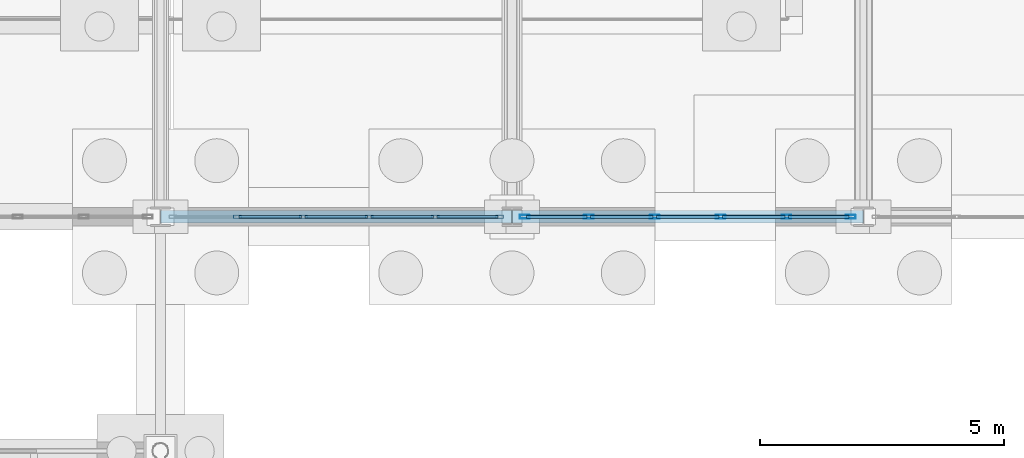
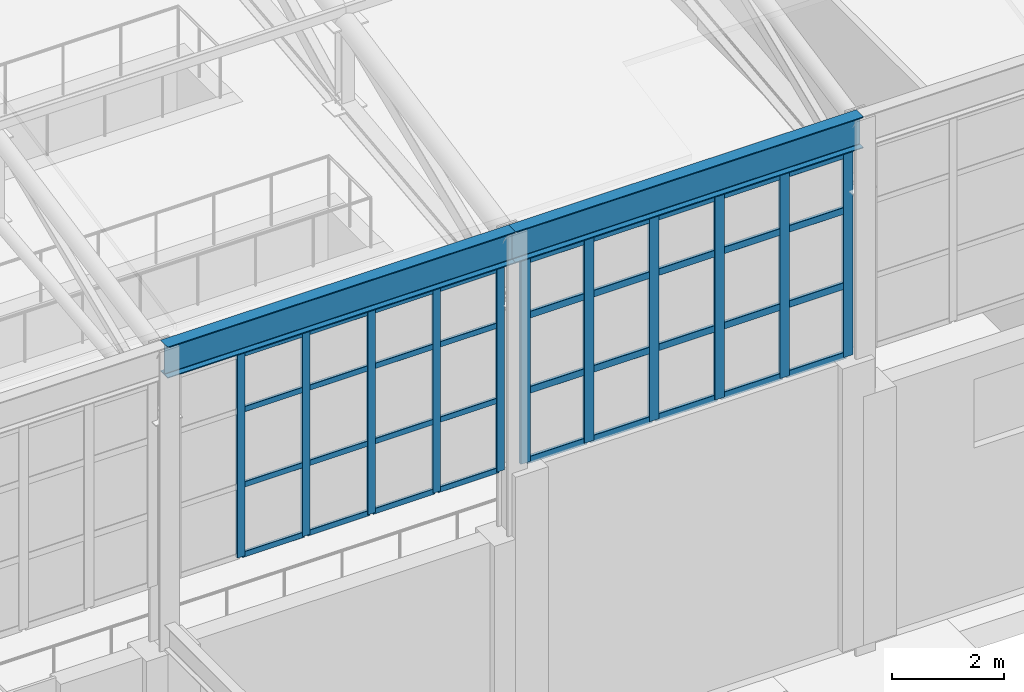
# One storey, part 172 of 293: 47 members, 2 beams, 2 elements without a shape of their own.
"""IFC4 building model written with IfcOpenShell, lengths in metres."""

from ifc_helpers import new_model, si_unit, direction, frame, origin, origin_2d, place, context, subcontext, project, spatial, hollow_rectangle, i_section, extrude, material, layer, layer_set, material_profile, profile_set, type_object, element, aggregate, save


model = new_model("IFC4")

# Units and contexts
model_context = context("Model", 3, precision=1e-05, world=origin(), true_north=direction((0.0, 1.0)))
body_context = subcontext(model_context, "Body", "Model", "MODEL_VIEW")
ifc_project = project(units=[si_unit("LENGTHUNIT", "METRE"), si_unit("AREAUNIT", "SQUARE_METRE"), si_unit("VOLUMEUNIT", "CUBIC_METRE"), si_unit("PLANEANGLEUNIT", "RADIAN"), si_unit("MASSUNIT", "GRAM", prefix="KILO")], contexts=[model_context])

# Site, building, storey
site_placement = place(None, origin())
site = spatial("IfcSite", under=ifc_project, at=site_placement, CompositionType="ELEMENT")
building_placement = place(site_placement, origin())
building = spatial("IfcBuilding", under=site, at=building_placement, Name="Kemerveld Promenade Tramway Depot", CompositionType="ELEMENT")
storey_placement = place(building_placement, origin())
storey = spatial("IfcBuildingStorey", under=building, at=storey_placement, Name="L00", CompositionType="ELEMENT", Elevation=0.0)

# Beams
ifc_material_1 = material(Name="Steel S355", Category="steel")
ifc_material_profile_1 = material_profile(ifc_material_1, i_section(OverallWidth=0.25439453125, OverallDepth=0.6875, WebThickness=0.01318359375, FlangeThickness=0.02099609375, FilletRadius=0.01513671875, at=origin_2d()), Name="686x254x152 UB")
ifc_profile_set_1 = profile_set([ifc_material_profile_1], Name="Steel S355")
beam_type = type_object("IfcBeamType", Name="BM-G03", PredefinedType="BEAM", material=ifc_profile_set_1)
beam_1_placement = place(storey_placement, frame((158.39990234375, 84.0, 11.056396484375), z_axis=(1.0, 0.0, 0.0), x_axis=(0.0, 1.0, 0.0)))
element("IfcBeam", 1, at=beam_1_placement, inside=storey, type_object=beam_type, Name="BM-SHED-EAVE-N-23", PredefinedType="BEAM", context=body_context, shape_type="SweptSolid", body=[
    extrude(i_section(OverallWidth=0.25439453125, OverallDepth=0.6875, WebThickness=0.01318359375, FlangeThickness=0.02099609375, FilletRadius=0.01513671875, at=origin_2d()), origin(), (0.0, 0.0, 1.0), 7.2001953125),
])
beam_2_placement = place(storey_placement, frame((165.60009765625, 84.0, 11.056396484375), z_axis=(1.0, 0.0, 0.0), x_axis=(0.0, 1.0, 0.0)))
element("IfcBeam", 2, at=beam_2_placement, inside=storey, type_object=beam_type, Name="BM-SHED-EAVE-N-24", PredefinedType="BEAM", context=body_context, shape_type="SweptSolid", body=[
    extrude(i_section(OverallWidth=0.25439453125, OverallDepth=0.6875, WebThickness=0.01318359375, FlangeThickness=0.02099609375, FilletRadius=0.01513671875, at=origin_2d()), origin(), (0.0, 0.0, 1.0), 7.199951171875),
])

# Curtain wall, members
ifc_material_2 = material(Name="Bronze anodised aluminium and solar glass", Category="aluminium")
ifc_layer_1 = layer(ifc_material_2, 0.159912109375)
ifc_layer_set_1 = layer_set([ifc_layer_1], Name="CW-SYS-07")
curtain_wall_type_1 = type_object("IfcCurtainWallType", Name="CW-SYS-07", PredefinedType="USERDEFINED", material=ifc_layer_set_1)
curtain_wall_1_placement = place(storey_placement, origin())
curtain_wall_1 = element("IfcCurtainWall", 3, at=curtain_wall_1_placement, inside=storey, type_object=curtain_wall_type_1, Name="CW-V1-S-18", ObjectType="GLAZED_CURTAIN_WALL", PredefinedType="USERDEFINED")
ifc_material_3 = material(Name="Bronze anodised aluminium", Category="aluminium")
ifc_material_profile_2 = material_profile(ifc_material_3, hollow_rectangle(XDim=0.06494140625, YDim=0.159912109375, WallThickness=0.00390625, InnerFilletRadius=0.001953125, OuterFilletRadius=0.00390625, at=origin_2d()), Name="CW-MUL-160x65")
ifc_profile_set_2 = profile_set([ifc_material_profile_2], Name="Bronze anodised aluminium")
member_type_1 = type_object("IfcMemberType", Name="CW-MUL-A", PredefinedType="MULLION", material=ifc_profile_set_2)
member_1_placement = place(storey_placement, frame((165.34423828125, 84.0, 6.199951171875), z_axis=(0.0, 0.0, 1.0), x_axis=(0.0, -1.0, 0.0)))
member_1 = element("IfcMember", 4, at=member_1_placement, type_object=member_type_1, Name="CW07 mullion 1", PredefinedType="MULLION", context=body_context, shape_type="SweptSolid", body=[
    extrude(hollow_rectangle(XDim=0.06494140625, YDim=0.159912109375, WallThickness=0.00390625, InnerFilletRadius=0.001953125, OuterFilletRadius=0.00390625, at=origin_2d()), origin(), (0.0, 0.0, 1.0), 4.449951171875),
])
member_2_placement = place(storey_placement, frame((164.026123046875, 84.0, 6.199951171875), z_axis=(0.0, 0.0, 1.0), x_axis=(0.0, -1.0, 0.0)))
member_2 = element("IfcMember", 5, at=member_2_placement, type_object=member_type_1, Name="CW07 mullion 2", PredefinedType="MULLION", context=body_context, shape_type="SweptSolid", body=[
    extrude(hollow_rectangle(XDim=0.06494140625, YDim=0.159912109375, WallThickness=0.00390625, InnerFilletRadius=0.001953125, OuterFilletRadius=0.00390625, at=origin_2d()), origin(), (0.0, 0.0, 1.0), 4.449951171875),
])
member_3_placement = place(storey_placement, frame((162.67529296875, 84.0, 6.199951171875), z_axis=(0.0, 0.0, 1.0), x_axis=(0.0, -1.0, 0.0)))
member_3 = element("IfcMember", 6, at=member_3_placement, type_object=member_type_1, Name="CW07 mullion 3", PredefinedType="MULLION", context=body_context, shape_type="SweptSolid", body=[
    extrude(hollow_rectangle(XDim=0.06494140625, YDim=0.159912109375, WallThickness=0.00390625, InnerFilletRadius=0.001953125, OuterFilletRadius=0.00390625, at=origin_2d()), origin(), (0.0, 0.0, 1.0), 4.449951171875),
])
member_4_placement = place(storey_placement, frame((161.32470703125, 84.0, 6.199951171875), z_axis=(0.0, 0.0, 1.0), x_axis=(0.0, -1.0, 0.0)))
member_4 = element("IfcMember", 7, at=member_4_placement, type_object=member_type_1, Name="CW07 mullion 4", PredefinedType="MULLION", context=body_context, shape_type="SweptSolid", body=[
    extrude(hollow_rectangle(XDim=0.06494140625, YDim=0.159912109375, WallThickness=0.00390625, InnerFilletRadius=0.001953125, OuterFilletRadius=0.00390625, at=origin_2d()), origin(), (0.0, 0.0, 1.0), 4.449951171875),
])
member_5_placement = place(storey_placement, frame((159.973876953125, 84.0, 6.199951171875), z_axis=(0.0, 0.0, 1.0), x_axis=(0.0, -1.0, 0.0)))
member_5 = element("IfcMember", 8, at=member_5_placement, type_object=member_type_1, Name="CW07 mullion 5", PredefinedType="MULLION", context=body_context, shape_type="SweptSolid", body=[
    extrude(hollow_rectangle(XDim=0.06494140625, YDim=0.159912109375, WallThickness=0.00390625, InnerFilletRadius=0.001953125, OuterFilletRadius=0.00390625, at=origin_2d()), origin(), (0.0, 0.0, 1.0), 4.449951171875),
])

ifc_layer_2 = layer(ifc_material_2, 0.199951171875)
ifc_layer_set_2 = layer_set([ifc_layer_2], Name="CW-SYS-08")
curtain_wall_type_2 = type_object("IfcCurtainWallType", Name="CW-SYS-08", PredefinedType="USERDEFINED", material=ifc_layer_set_2)
curtain_wall_2_placement = place(storey_placement, origin())
curtain_wall_2 = element("IfcCurtainWall", 9, at=curtain_wall_2_placement, inside=storey, type_object=curtain_wall_type_2, Name="CW-V1-S-19", ObjectType="GLAZED_CURTAIN_WALL", PredefinedType="USERDEFINED")
ifc_material_profile_3 = material_profile(ifc_material_3, hollow_rectangle(XDim=0.074951171875, YDim=0.199951171875, WallThickness=0.0048828125, InnerFilletRadius=0.001953125, OuterFilletRadius=0.0048828125, at=origin_2d()), Name="CW-MUL-200x75")
ifc_profile_set_3 = profile_set([ifc_material_profile_3], Name="Bronze anodised aluminium")
member_type_2 = type_object("IfcMemberType", Name="CW-MUL-B", PredefinedType="MULLION", material=ifc_profile_set_3)
member_6_placement = place(storey_placement, frame((172.539306640625, 84.0, 6.199951171875), z_axis=(0.0, 0.0, 1.0), x_axis=(0.0, -1.0, 0.0)))
member_6 = element("IfcMember", 10, at=member_6_placement, type_object=member_type_2, Name="CW08 mullion 1", PredefinedType="MULLION", context=body_context, shape_type="SweptSolid", body=[
    extrude(hollow_rectangle(XDim=0.074951171875, YDim=0.199951171875, WallThickness=0.0048828125, InnerFilletRadius=0.001953125, OuterFilletRadius=0.0048828125, at=origin_2d()), origin(), (0.0, 0.0, 1.0), 4.449951171875),
])
member_7_placement = place(storey_placement, frame((171.22607421875, 84.0, 6.199951171875), z_axis=(0.0, 0.0, 1.0), x_axis=(0.0, -1.0, 0.0)))
member_7 = element("IfcMember", 11, at=member_7_placement, type_object=member_type_2, Name="CW08 mullion 2", PredefinedType="MULLION", context=body_context, shape_type="SweptSolid", body=[
    extrude(hollow_rectangle(XDim=0.074951171875, YDim=0.199951171875, WallThickness=0.0048828125, InnerFilletRadius=0.001953125, OuterFilletRadius=0.0048828125, at=origin_2d()), origin(), (0.0, 0.0, 1.0), 4.449951171875),
])
member_8_placement = place(storey_placement, frame((169.875244140625, 84.0, 6.199951171875), z_axis=(0.0, 0.0, 1.0), x_axis=(0.0, -1.0, 0.0)))
member_8 = element("IfcMember", 12, at=member_8_placement, type_object=member_type_2, Name="CW08 mullion 3", PredefinedType="MULLION", context=body_context, shape_type="SweptSolid", body=[
    extrude(hollow_rectangle(XDim=0.074951171875, YDim=0.199951171875, WallThickness=0.0048828125, InnerFilletRadius=0.001953125, OuterFilletRadius=0.0048828125, at=origin_2d()), origin(), (0.0, 0.0, 1.0), 4.449951171875),
])
member_9_placement = place(storey_placement, frame((168.524658203125, 84.0, 6.199951171875), z_axis=(0.0, 0.0, 1.0), x_axis=(0.0, -1.0, 0.0)))
member_9 = element("IfcMember", 13, at=member_9_placement, type_object=member_type_2, Name="CW08 mullion 4", PredefinedType="MULLION", context=body_context, shape_type="SweptSolid", body=[
    extrude(hollow_rectangle(XDim=0.074951171875, YDim=0.199951171875, WallThickness=0.0048828125, InnerFilletRadius=0.001953125, OuterFilletRadius=0.0048828125, at=origin_2d()), origin(), (0.0, 0.0, 1.0), 4.449951171875),
])
member_10_placement = place(storey_placement, frame((167.173828125, 84.0, 6.199951171875), z_axis=(0.0, 0.0, 1.0), x_axis=(0.0, -1.0, 0.0)))
member_10 = element("IfcMember", 14, at=member_10_placement, type_object=member_type_2, Name="CW08 mullion 5", PredefinedType="MULLION", context=body_context, shape_type="SweptSolid", body=[
    extrude(hollow_rectangle(XDim=0.074951171875, YDim=0.199951171875, WallThickness=0.0048828125, InnerFilletRadius=0.001953125, OuterFilletRadius=0.0048828125, at=origin_2d()), origin(), (0.0, 0.0, 1.0), 4.449951171875),
])
member_11_placement = place(storey_placement, frame((165.860595703125, 84.0, 6.199951171875), z_axis=(0.0, 0.0, 1.0), x_axis=(0.0, -1.0, 0.0)))
member_11 = element("IfcMember", 15, at=member_11_placement, type_object=member_type_2, Name="CW08 mullion 6", PredefinedType="MULLION", context=body_context, shape_type="SweptSolid", body=[
    extrude(hollow_rectangle(XDim=0.074951171875, YDim=0.199951171875, WallThickness=0.0048828125, InnerFilletRadius=0.001953125, OuterFilletRadius=0.0048828125, at=origin_2d()), origin(), (0.0, 0.0, 1.0), 4.449951171875),
])

# Member
ifc_material_profile_4 = material_profile(ifc_material_3, hollow_rectangle(XDim=0.06005859375, YDim=0.1201171875, WallThickness=0.00390625, InnerFilletRadius=0.001953125, OuterFilletRadius=0.00390625, at=origin_2d()), Name="CW-TRN-120x60")
ifc_profile_set_4 = profile_set([ifc_material_profile_4], Name="Bronze anodised aluminium")
member_type_3 = type_object("IfcMemberType", Name="CW-TRN-A", PredefinedType="USERDEFINED", material=ifc_profile_set_4)
member_12_placement = place(storey_placement, frame((165.311767578125, 84.0, 6.22998046875), z_axis=(-1.0, 0.0, 0.0), x_axis=(0.0, -1.0, 0.0)))
member_12 = element("IfcMember", 16, at=member_12_placement, type_object=member_type_3, Name="CW07 transom 1.1", ObjectType="TRANSOM", PredefinedType="USERDEFINED", context=body_context, shape_type="SweptSolid", body=[
    extrude(hollow_rectangle(XDim=0.06005859375, YDim=0.1201171875, WallThickness=0.00390625, InnerFilletRadius=0.001953125, OuterFilletRadius=0.00390625, at=origin_2d()), origin(), (0.0, 0.0, 1.0), 1.253173828125),
])

member_13_placement = place(storey_placement, frame((165.311767578125, 84.0, 7.758056640625), z_axis=(-1.0, 0.0, 0.0), x_axis=(0.0, -1.0, 0.0)))
member_13 = element("IfcMember", 17, at=member_13_placement, type_object=member_type_3, Name="CW07 transom 1.2", ObjectType="TRANSOM", PredefinedType="USERDEFINED", context=body_context, shape_type="SweptSolid", body=[
    extrude(hollow_rectangle(XDim=0.06005859375, YDim=0.1201171875, WallThickness=0.00390625, InnerFilletRadius=0.001953125, OuterFilletRadius=0.00390625, at=origin_2d()), origin(), (0.0, 0.0, 1.0), 1.253173828125),
])

member_14_placement = place(storey_placement, frame((165.311767578125, 84.0, 9.404052734375), z_axis=(-1.0, 0.0, 0.0), x_axis=(0.0, -1.0, 0.0)))
member_14 = element("IfcMember", 18, at=member_14_placement, type_object=member_type_3, Name="CW07 transom 1.3", ObjectType="TRANSOM", PredefinedType="USERDEFINED", context=body_context, shape_type="SweptSolid", body=[
    extrude(hollow_rectangle(XDim=0.06005859375, YDim=0.1201171875, WallThickness=0.00390625, InnerFilletRadius=0.001953125, OuterFilletRadius=0.00390625, at=origin_2d()), origin(), (0.0, 0.0, 1.0), 1.253173828125),
])

member_15_placement = place(storey_placement, frame((165.311767578125, 84.0, 10.6201171875), z_axis=(-1.0, 0.0, 0.0), x_axis=(0.0, -1.0, 0.0)))
member_15 = element("IfcMember", 19, at=member_15_placement, type_object=member_type_3, Name="CW07 transom 1.4", ObjectType="TRANSOM", PredefinedType="USERDEFINED", context=body_context, shape_type="SweptSolid", body=[
    extrude(hollow_rectangle(XDim=0.06005859375, YDim=0.1201171875, WallThickness=0.00390625, InnerFilletRadius=0.001953125, OuterFilletRadius=0.00390625, at=origin_2d()), origin(), (0.0, 0.0, 1.0), 1.253173828125),
])

member_16_placement = place(storey_placement, frame((163.99365234375, 84.0, 6.22998046875), z_axis=(-1.0, 0.0, 0.0), x_axis=(0.0, -1.0, 0.0)))
member_16 = element("IfcMember", 20, at=member_16_placement, type_object=member_type_3, Name="CW07 transom 2.1", ObjectType="TRANSOM", PredefinedType="USERDEFINED", context=body_context, shape_type="SweptSolid", body=[
    extrude(hollow_rectangle(XDim=0.06005859375, YDim=0.1201171875, WallThickness=0.00390625, InnerFilletRadius=0.001953125, OuterFilletRadius=0.00390625, at=origin_2d()), origin(), (0.0, 0.0, 1.0), 1.285888671875),
])

member_17_placement = place(storey_placement, frame((163.99365234375, 84.0, 7.758056640625), z_axis=(-1.0, 0.0, 0.0), x_axis=(0.0, -1.0, 0.0)))
member_17 = element("IfcMember", 21, at=member_17_placement, type_object=member_type_3, Name="CW07 transom 2.2", ObjectType="TRANSOM", PredefinedType="USERDEFINED", context=body_context, shape_type="SweptSolid", body=[
    extrude(hollow_rectangle(XDim=0.06005859375, YDim=0.1201171875, WallThickness=0.00390625, InnerFilletRadius=0.001953125, OuterFilletRadius=0.00390625, at=origin_2d()), origin(), (0.0, 0.0, 1.0), 1.285888671875),
])

member_18_placement = place(storey_placement, frame((163.99365234375, 84.0, 9.404052734375), z_axis=(-1.0, 0.0, 0.0), x_axis=(0.0, -1.0, 0.0)))
member_18 = element("IfcMember", 22, at=member_18_placement, type_object=member_type_3, Name="CW07 transom 2.3", ObjectType="TRANSOM", PredefinedType="USERDEFINED", context=body_context, shape_type="SweptSolid", body=[
    extrude(hollow_rectangle(XDim=0.06005859375, YDim=0.1201171875, WallThickness=0.00390625, InnerFilletRadius=0.001953125, OuterFilletRadius=0.00390625, at=origin_2d()), origin(), (0.0, 0.0, 1.0), 1.285888671875),
])

member_19_placement = place(storey_placement, frame((163.99365234375, 84.0, 10.6201171875), z_axis=(-1.0, 0.0, 0.0), x_axis=(0.0, -1.0, 0.0)))
member_19 = element("IfcMember", 23, at=member_19_placement, type_object=member_type_3, Name="CW07 transom 2.4", ObjectType="TRANSOM", PredefinedType="USERDEFINED", context=body_context, shape_type="SweptSolid", body=[
    extrude(hollow_rectangle(XDim=0.06005859375, YDim=0.1201171875, WallThickness=0.00390625, InnerFilletRadius=0.001953125, OuterFilletRadius=0.00390625, at=origin_2d()), origin(), (0.0, 0.0, 1.0), 1.285888671875),
])

member_20_placement = place(storey_placement, frame((162.642822265625, 84.0, 6.22998046875), z_axis=(-1.0, 0.0, 0.0), x_axis=(0.0, -1.0, 0.0)))
member_20 = element("IfcMember", 24, at=member_20_placement, type_object=member_type_3, Name="CW07 transom 3.1", ObjectType="TRANSOM", PredefinedType="USERDEFINED", context=body_context, shape_type="SweptSolid", body=[
    extrude(hollow_rectangle(XDim=0.06005859375, YDim=0.1201171875, WallThickness=0.00390625, InnerFilletRadius=0.001953125, OuterFilletRadius=0.00390625, at=origin_2d()), origin(), (0.0, 0.0, 1.0), 1.28564453125),
])

member_21_placement = place(storey_placement, frame((162.642822265625, 84.0, 7.758056640625), z_axis=(-1.0, 0.0, 0.0), x_axis=(0.0, -1.0, 0.0)))
member_21 = element("IfcMember", 25, at=member_21_placement, type_object=member_type_3, Name="CW07 transom 3.2", ObjectType="TRANSOM", PredefinedType="USERDEFINED", context=body_context, shape_type="SweptSolid", body=[
    extrude(hollow_rectangle(XDim=0.06005859375, YDim=0.1201171875, WallThickness=0.00390625, InnerFilletRadius=0.001953125, OuterFilletRadius=0.00390625, at=origin_2d()), origin(), (0.0, 0.0, 1.0), 1.28564453125),
])

member_22_placement = place(storey_placement, frame((162.642822265625, 84.0, 9.404052734375), z_axis=(-1.0, 0.0, 0.0), x_axis=(0.0, -1.0, 0.0)))
member_22 = element("IfcMember", 26, at=member_22_placement, type_object=member_type_3, Name="CW07 transom 3.3", ObjectType="TRANSOM", PredefinedType="USERDEFINED", context=body_context, shape_type="SweptSolid", body=[
    extrude(hollow_rectangle(XDim=0.06005859375, YDim=0.1201171875, WallThickness=0.00390625, InnerFilletRadius=0.001953125, OuterFilletRadius=0.00390625, at=origin_2d()), origin(), (0.0, 0.0, 1.0), 1.28564453125),
])

member_23_placement = place(storey_placement, frame((162.642822265625, 84.0, 10.6201171875), z_axis=(-1.0, 0.0, 0.0), x_axis=(0.0, -1.0, 0.0)))
member_23 = element("IfcMember", 27, at=member_23_placement, type_object=member_type_3, Name="CW07 transom 3.4", ObjectType="TRANSOM", PredefinedType="USERDEFINED", context=body_context, shape_type="SweptSolid", body=[
    extrude(hollow_rectangle(XDim=0.06005859375, YDim=0.1201171875, WallThickness=0.00390625, InnerFilletRadius=0.001953125, OuterFilletRadius=0.00390625, at=origin_2d()), origin(), (0.0, 0.0, 1.0), 1.28564453125),
])

member_24_placement = place(storey_placement, frame((161.292236328125, 84.0, 6.22998046875), z_axis=(-1.0, 0.0, 0.0), x_axis=(0.0, -1.0, 0.0)))
member_24 = element("IfcMember", 28, at=member_24_placement, type_object=member_type_3, Name="CW07 transom 4.1", ObjectType="TRANSOM", PredefinedType="USERDEFINED", context=body_context, shape_type="SweptSolid", body=[
    extrude(hollow_rectangle(XDim=0.06005859375, YDim=0.1201171875, WallThickness=0.00390625, InnerFilletRadius=0.001953125, OuterFilletRadius=0.00390625, at=origin_2d()), origin(), (0.0, 0.0, 1.0), 1.285888671875),
])

member_25_placement = place(storey_placement, frame((161.292236328125, 84.0, 7.758056640625), z_axis=(-1.0, 0.0, 0.0), x_axis=(0.0, -1.0, 0.0)))
member_25 = element("IfcMember", 29, at=member_25_placement, type_object=member_type_3, Name="CW07 transom 4.2", ObjectType="TRANSOM", PredefinedType="USERDEFINED", context=body_context, shape_type="SweptSolid", body=[
    extrude(hollow_rectangle(XDim=0.06005859375, YDim=0.1201171875, WallThickness=0.00390625, InnerFilletRadius=0.001953125, OuterFilletRadius=0.00390625, at=origin_2d()), origin(), (0.0, 0.0, 1.0), 1.285888671875),
])

member_26_placement = place(storey_placement, frame((161.292236328125, 84.0, 9.404052734375), z_axis=(-1.0, 0.0, 0.0), x_axis=(0.0, -1.0, 0.0)))
member_26 = element("IfcMember", 30, at=member_26_placement, type_object=member_type_3, Name="CW07 transom 4.3", ObjectType="TRANSOM", PredefinedType="USERDEFINED", context=body_context, shape_type="SweptSolid", body=[
    extrude(hollow_rectangle(XDim=0.06005859375, YDim=0.1201171875, WallThickness=0.00390625, InnerFilletRadius=0.001953125, OuterFilletRadius=0.00390625, at=origin_2d()), origin(), (0.0, 0.0, 1.0), 1.285888671875),
])

member_27_placement = place(storey_placement, frame((161.292236328125, 84.0, 10.6201171875), z_axis=(-1.0, 0.0, 0.0), x_axis=(0.0, -1.0, 0.0)))
member_27 = element("IfcMember", 31, at=member_27_placement, type_object=member_type_3, Name="CW07 transom 4.4", ObjectType="TRANSOM", PredefinedType="USERDEFINED", context=body_context, shape_type="SweptSolid", body=[
    extrude(hollow_rectangle(XDim=0.06005859375, YDim=0.1201171875, WallThickness=0.00390625, InnerFilletRadius=0.001953125, OuterFilletRadius=0.00390625, at=origin_2d()), origin(), (0.0, 0.0, 1.0), 1.285888671875),
])

aggregate(curtain_wall_1, [member_1, member_2, member_3, member_4, member_5, member_12, member_13, member_14, member_15, member_16, member_17, member_18, member_19, member_20, member_21, member_22, member_23, member_24, member_25, member_26, member_27])

ifc_material_profile_5 = material_profile(ifc_material_3, hollow_rectangle(XDim=0.06494140625, YDim=0.14990234375, WallThickness=0.00439453125, InnerFilletRadius=0.001953125, OuterFilletRadius=0.00439453125, at=origin_2d()), Name="CW-TRN-150x65")
ifc_profile_set_5 = profile_set([ifc_material_profile_5], Name="Bronze anodised aluminium")
member_type_4 = type_object("IfcMemberType", Name="CW-TRN-B", PredefinedType="USERDEFINED", material=ifc_profile_set_5)
member_28_placement = place(storey_placement, frame((172.501708984375, 84.0, 6.232421875), z_axis=(-1.0, 0.0, 0.0), x_axis=(0.0, -1.0, 0.0)))
member_28 = element("IfcMember", 32, at=member_28_placement, type_object=member_type_4, Name="CW08 transom 1.1", ObjectType="TRANSOM", PredefinedType="USERDEFINED", context=body_context, shape_type="SweptSolid", body=[
    extrude(hollow_rectangle(XDim=0.06494140625, YDim=0.14990234375, WallThickness=0.00439453125, InnerFilletRadius=0.001953125, OuterFilletRadius=0.00439453125, at=origin_2d()), origin(), (0.0, 0.0, 1.0), 1.238037109375),
])

member_29_placement = place(storey_placement, frame((172.501708984375, 84.0, 7.758056640625), z_axis=(-1.0, 0.0, 0.0), x_axis=(0.0, -1.0, 0.0)))
member_29 = element("IfcMember", 33, at=member_29_placement, type_object=member_type_4, Name="CW08 transom 1.2", ObjectType="TRANSOM", PredefinedType="USERDEFINED", context=body_context, shape_type="SweptSolid", body=[
    extrude(hollow_rectangle(XDim=0.06494140625, YDim=0.14990234375, WallThickness=0.00439453125, InnerFilletRadius=0.001953125, OuterFilletRadius=0.00439453125, at=origin_2d()), origin(), (0.0, 0.0, 1.0), 1.238037109375),
])

member_30_placement = place(storey_placement, frame((172.501708984375, 84.0, 9.404052734375), z_axis=(-1.0, 0.0, 0.0), x_axis=(0.0, -1.0, 0.0)))
member_30 = element("IfcMember", 34, at=member_30_placement, type_object=member_type_4, Name="CW08 transom 1.3", ObjectType="TRANSOM", PredefinedType="USERDEFINED", context=body_context, shape_type="SweptSolid", body=[
    extrude(hollow_rectangle(XDim=0.06494140625, YDim=0.14990234375, WallThickness=0.00439453125, InnerFilletRadius=0.001953125, OuterFilletRadius=0.00439453125, at=origin_2d()), origin(), (0.0, 0.0, 1.0), 1.238037109375),
])

member_31_placement = place(storey_placement, frame((172.501708984375, 84.0, 10.617431640625), z_axis=(-1.0, 0.0, 0.0), x_axis=(0.0, -1.0, 0.0)))
member_31 = element("IfcMember", 35, at=member_31_placement, type_object=member_type_4, Name="CW08 transom 1.4", ObjectType="TRANSOM", PredefinedType="USERDEFINED", context=body_context, shape_type="SweptSolid", body=[
    extrude(hollow_rectangle(XDim=0.06494140625, YDim=0.14990234375, WallThickness=0.00439453125, InnerFilletRadius=0.001953125, OuterFilletRadius=0.00439453125, at=origin_2d()), origin(), (0.0, 0.0, 1.0), 1.238037109375),
])

member_32_placement = place(storey_placement, frame((171.1884765625, 84.0, 6.232421875), z_axis=(-1.0, 0.0, 0.0), x_axis=(0.0, -1.0, 0.0)))
member_32 = element("IfcMember", 36, at=member_32_placement, type_object=member_type_4, Name="CW08 transom 2.1", ObjectType="TRANSOM", PredefinedType="USERDEFINED", context=body_context, shape_type="SweptSolid", body=[
    extrude(hollow_rectangle(XDim=0.06494140625, YDim=0.14990234375, WallThickness=0.00439453125, InnerFilletRadius=0.001953125, OuterFilletRadius=0.00439453125, at=origin_2d()), origin(), (0.0, 0.0, 1.0), 1.275634765625),
])

member_33_placement = place(storey_placement, frame((171.1884765625, 84.0, 7.758056640625), z_axis=(-1.0, 0.0, 0.0), x_axis=(0.0, -1.0, 0.0)))
member_33 = element("IfcMember", 37, at=member_33_placement, type_object=member_type_4, Name="CW08 transom 2.2", ObjectType="TRANSOM", PredefinedType="USERDEFINED", context=body_context, shape_type="SweptSolid", body=[
    extrude(hollow_rectangle(XDim=0.06494140625, YDim=0.14990234375, WallThickness=0.00439453125, InnerFilletRadius=0.001953125, OuterFilletRadius=0.00439453125, at=origin_2d()), origin(), (0.0, 0.0, 1.0), 1.275634765625),
])

member_34_placement = place(storey_placement, frame((171.1884765625, 84.0, 9.404052734375), z_axis=(-1.0, 0.0, 0.0), x_axis=(0.0, -1.0, 0.0)))
member_34 = element("IfcMember", 38, at=member_34_placement, type_object=member_type_4, Name="CW08 transom 2.3", ObjectType="TRANSOM", PredefinedType="USERDEFINED", context=body_context, shape_type="SweptSolid", body=[
    extrude(hollow_rectangle(XDim=0.06494140625, YDim=0.14990234375, WallThickness=0.00439453125, InnerFilletRadius=0.001953125, OuterFilletRadius=0.00439453125, at=origin_2d()), origin(), (0.0, 0.0, 1.0), 1.275634765625),
])

member_35_placement = place(storey_placement, frame((171.1884765625, 84.0, 10.617431640625), z_axis=(-1.0, 0.0, 0.0), x_axis=(0.0, -1.0, 0.0)))
member_35 = element("IfcMember", 39, at=member_35_placement, type_object=member_type_4, Name="CW08 transom 2.4", ObjectType="TRANSOM", PredefinedType="USERDEFINED", context=body_context, shape_type="SweptSolid", body=[
    extrude(hollow_rectangle(XDim=0.06494140625, YDim=0.14990234375, WallThickness=0.00439453125, InnerFilletRadius=0.001953125, OuterFilletRadius=0.00439453125, at=origin_2d()), origin(), (0.0, 0.0, 1.0), 1.275634765625),
])

member_36_placement = place(storey_placement, frame((169.837890625, 84.0, 6.232421875), z_axis=(-1.0, 0.0, 0.0), x_axis=(0.0, -1.0, 0.0)))
member_36 = element("IfcMember", 40, at=member_36_placement, type_object=member_type_4, Name="CW08 transom 3.1", ObjectType="TRANSOM", PredefinedType="USERDEFINED", context=body_context, shape_type="SweptSolid", body=[
    extrude(hollow_rectangle(XDim=0.06494140625, YDim=0.14990234375, WallThickness=0.00439453125, InnerFilletRadius=0.001953125, OuterFilletRadius=0.00439453125, at=origin_2d()), origin(), (0.0, 0.0, 1.0), 1.275634765625),
])

member_37_placement = place(storey_placement, frame((169.837890625, 84.0, 7.758056640625), z_axis=(-1.0, 0.0, 0.0), x_axis=(0.0, -1.0, 0.0)))
member_37 = element("IfcMember", 41, at=member_37_placement, type_object=member_type_4, Name="CW08 transom 3.2", ObjectType="TRANSOM", PredefinedType="USERDEFINED", context=body_context, shape_type="SweptSolid", body=[
    extrude(hollow_rectangle(XDim=0.06494140625, YDim=0.14990234375, WallThickness=0.00439453125, InnerFilletRadius=0.001953125, OuterFilletRadius=0.00439453125, at=origin_2d()), origin(), (0.0, 0.0, 1.0), 1.275634765625),
])

member_38_placement = place(storey_placement, frame((169.837890625, 84.0, 9.404052734375), z_axis=(-1.0, 0.0, 0.0), x_axis=(0.0, -1.0, 0.0)))
member_38 = element("IfcMember", 42, at=member_38_placement, type_object=member_type_4, Name="CW08 transom 3.3", ObjectType="TRANSOM", PredefinedType="USERDEFINED", context=body_context, shape_type="SweptSolid", body=[
    extrude(hollow_rectangle(XDim=0.06494140625, YDim=0.14990234375, WallThickness=0.00439453125, InnerFilletRadius=0.001953125, OuterFilletRadius=0.00439453125, at=origin_2d()), origin(), (0.0, 0.0, 1.0), 1.275634765625),
])

member_39_placement = place(storey_placement, frame((169.837890625, 84.0, 10.617431640625), z_axis=(-1.0, 0.0, 0.0), x_axis=(0.0, -1.0, 0.0)))
member_39 = element("IfcMember", 43, at=member_39_placement, type_object=member_type_4, Name="CW08 transom 3.4", ObjectType="TRANSOM", PredefinedType="USERDEFINED", context=body_context, shape_type="SweptSolid", body=[
    extrude(hollow_rectangle(XDim=0.06494140625, YDim=0.14990234375, WallThickness=0.00439453125, InnerFilletRadius=0.001953125, OuterFilletRadius=0.00439453125, at=origin_2d()), origin(), (0.0, 0.0, 1.0), 1.275634765625),
])

member_40_placement = place(storey_placement, frame((168.487060546875, 84.0, 6.232421875), z_axis=(-1.0, 0.0, 0.0), x_axis=(0.0, -1.0, 0.0)))
member_40 = element("IfcMember", 44, at=member_40_placement, type_object=member_type_4, Name="CW08 transom 4.1", ObjectType="TRANSOM", PredefinedType="USERDEFINED", context=body_context, shape_type="SweptSolid", body=[
    extrude(hollow_rectangle(XDim=0.06494140625, YDim=0.14990234375, WallThickness=0.00439453125, InnerFilletRadius=0.001953125, OuterFilletRadius=0.00439453125, at=origin_2d()), origin(), (0.0, 0.0, 1.0), 1.275634765625),
])

member_41_placement = place(storey_placement, frame((168.487060546875, 84.0, 7.758056640625), z_axis=(-1.0, 0.0, 0.0), x_axis=(0.0, -1.0, 0.0)))
member_41 = element("IfcMember", 45, at=member_41_placement, type_object=member_type_4, Name="CW08 transom 4.2", ObjectType="TRANSOM", PredefinedType="USERDEFINED", context=body_context, shape_type="SweptSolid", body=[
    extrude(hollow_rectangle(XDim=0.06494140625, YDim=0.14990234375, WallThickness=0.00439453125, InnerFilletRadius=0.001953125, OuterFilletRadius=0.00439453125, at=origin_2d()), origin(), (0.0, 0.0, 1.0), 1.275634765625),
])

member_42_placement = place(storey_placement, frame((168.487060546875, 84.0, 9.404052734375), z_axis=(-1.0, 0.0, 0.0), x_axis=(0.0, -1.0, 0.0)))
member_42 = element("IfcMember", 46, at=member_42_placement, type_object=member_type_4, Name="CW08 transom 4.3", ObjectType="TRANSOM", PredefinedType="USERDEFINED", context=body_context, shape_type="SweptSolid", body=[
    extrude(hollow_rectangle(XDim=0.06494140625, YDim=0.14990234375, WallThickness=0.00439453125, InnerFilletRadius=0.001953125, OuterFilletRadius=0.00439453125, at=origin_2d()), origin(), (0.0, 0.0, 1.0), 1.275634765625),
])

member_43_placement = place(storey_placement, frame((168.487060546875, 84.0, 10.617431640625), z_axis=(-1.0, 0.0, 0.0), x_axis=(0.0, -1.0, 0.0)))
member_43 = element("IfcMember", 47, at=member_43_placement, type_object=member_type_4, Name="CW08 transom 4.4", ObjectType="TRANSOM", PredefinedType="USERDEFINED", context=body_context, shape_type="SweptSolid", body=[
    extrude(hollow_rectangle(XDim=0.06494140625, YDim=0.14990234375, WallThickness=0.00439453125, InnerFilletRadius=0.001953125, OuterFilletRadius=0.00439453125, at=origin_2d()), origin(), (0.0, 0.0, 1.0), 1.275634765625),
])

member_44_placement = place(storey_placement, frame((167.136474609375, 84.0, 6.232421875), z_axis=(-1.0, 0.0, 0.0), x_axis=(0.0, -1.0, 0.0)))
member_44 = element("IfcMember", 48, at=member_44_placement, type_object=member_type_4, Name="CW08 transom 5.1", ObjectType="TRANSOM", PredefinedType="USERDEFINED", context=body_context, shape_type="SweptSolid", body=[
    extrude(hollow_rectangle(XDim=0.06494140625, YDim=0.14990234375, WallThickness=0.00439453125, InnerFilletRadius=0.001953125, OuterFilletRadius=0.00439453125, at=origin_2d()), origin(), (0.0, 0.0, 1.0), 1.23828125),
])

member_45_placement = place(storey_placement, frame((167.136474609375, 84.0, 7.758056640625), z_axis=(-1.0, 0.0, 0.0), x_axis=(0.0, -1.0, 0.0)))
member_45 = element("IfcMember", 49, at=member_45_placement, type_object=member_type_4, Name="CW08 transom 5.2", ObjectType="TRANSOM", PredefinedType="USERDEFINED", context=body_context, shape_type="SweptSolid", body=[
    extrude(hollow_rectangle(XDim=0.06494140625, YDim=0.14990234375, WallThickness=0.00439453125, InnerFilletRadius=0.001953125, OuterFilletRadius=0.00439453125, at=origin_2d()), origin(), (0.0, 0.0, 1.0), 1.23828125),
])

member_46_placement = place(storey_placement, frame((167.136474609375, 84.0, 9.404052734375), z_axis=(-1.0, 0.0, 0.0), x_axis=(0.0, -1.0, 0.0)))
member_46 = element("IfcMember", 50, at=member_46_placement, type_object=member_type_4, Name="CW08 transom 5.3", ObjectType="TRANSOM", PredefinedType="USERDEFINED", context=body_context, shape_type="SweptSolid", body=[
    extrude(hollow_rectangle(XDim=0.06494140625, YDim=0.14990234375, WallThickness=0.00439453125, InnerFilletRadius=0.001953125, OuterFilletRadius=0.00439453125, at=origin_2d()), origin(), (0.0, 0.0, 1.0), 1.23828125),
])

member_47_placement = place(storey_placement, frame((167.136474609375, 84.0, 10.617431640625), z_axis=(-1.0, 0.0, 0.0), x_axis=(0.0, -1.0, 0.0)))
member_47 = element("IfcMember", 51, at=member_47_placement, type_object=member_type_4, Name="CW08 transom 5.4", ObjectType="TRANSOM", PredefinedType="USERDEFINED", context=body_context, shape_type="SweptSolid", body=[
    extrude(hollow_rectangle(XDim=0.06494140625, YDim=0.14990234375, WallThickness=0.00439453125, InnerFilletRadius=0.001953125, OuterFilletRadius=0.00439453125, at=origin_2d()), origin(), (0.0, 0.0, 1.0), 1.23828125),
])

aggregate(curtain_wall_2, [member_6, member_7, member_8, member_9, member_10, member_11, member_28, member_29, member_30, member_31, member_32, member_33, member_34, member_35, member_36, member_37, member_38, member_39, member_40, member_41, member_42, member_43, member_44, member_45, member_46, member_47])

save(model, "model.ifc")
